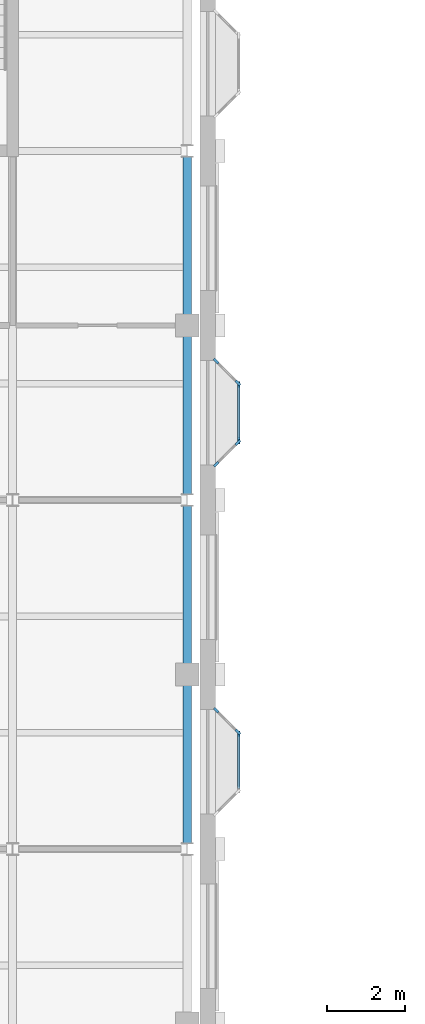
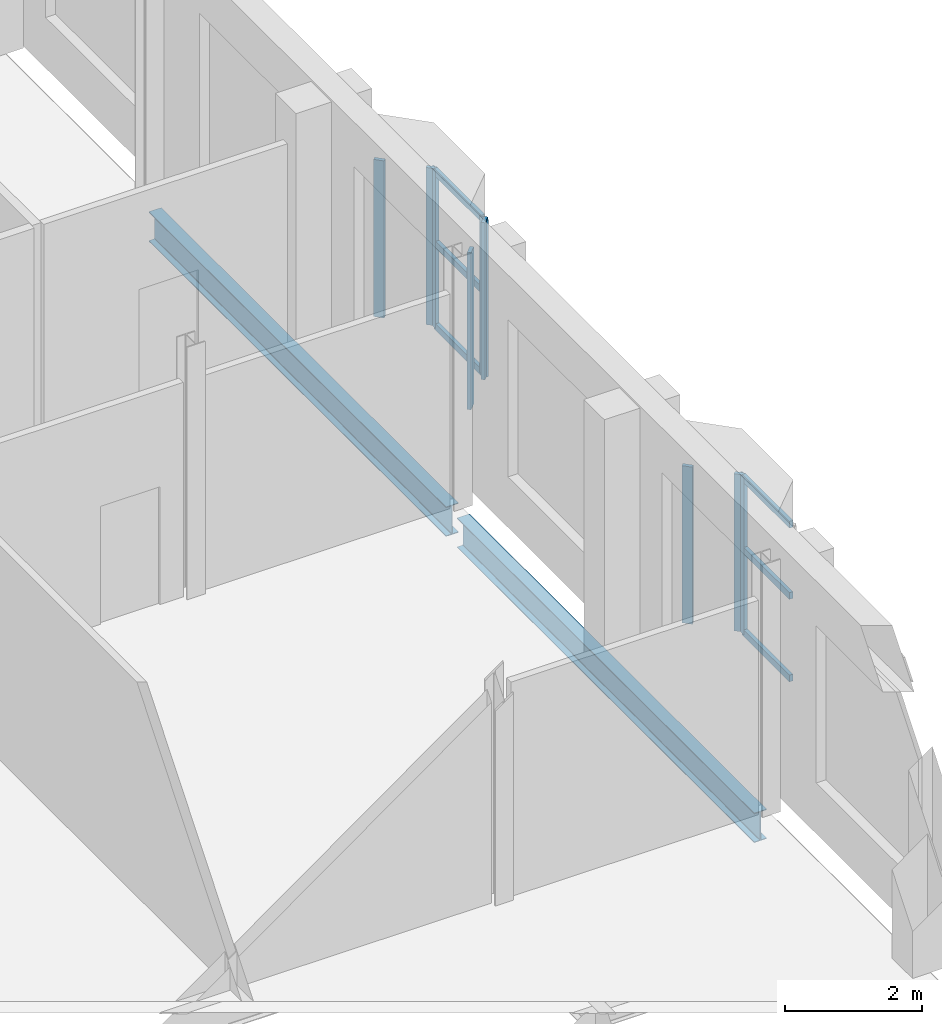
# One storey, part 12 of 59: 15 members, 2 beams, 5 elements without a shape of their own.
"""IFC4 building model written with IfcOpenShell, lengths in metres."""

from ifc_helpers import new_model, si_unit, direction, frame, origin, origin_2d, place, context, subcontext, project, spatial, rectangle, i_section, extrude, material, layer, layer_set, material_profile, profile_set, type_object, element, aggregate, save


model = new_model("IFC4")

# Units and contexts
model_context = context("Model", 3, precision=1e-05, world=origin(), true_north=direction((0.0, 1.0)))
body_context = subcontext(model_context, "Body", "Model", "MODEL_VIEW")
ifc_project = project(units=[si_unit("LENGTHUNIT", "METRE"), si_unit("AREAUNIT", "SQUARE_METRE"), si_unit("VOLUMEUNIT", "CUBIC_METRE"), si_unit("PLANEANGLEUNIT", "RADIAN"), si_unit("MASSUNIT", "GRAM", prefix="KILO")], contexts=[model_context])

# Site, building, storey
site_placement = place(None, origin())
site = spatial("IfcSite", under=ifc_project, at=site_placement, CompositionType="ELEMENT")
building_placement = place(site_placement, origin())
building = spatial("IfcBuilding", under=site, at=building_placement, Name="Hortulan Conservatory and Botanical Research Centre", CompositionType="ELEMENT")
storey_placement = place(building_placement, frame((0.0, 0.0, 10.5)))
storey = spatial("IfcBuildingStorey", under=building, at=storey_placement, Name="L02", CompositionType="ELEMENT", Elevation=10.5)

# Curtain wall, members
ifc_material_1 = material(Name="Bronze-finished aluminium", Category="aluminium")
ifc_layer = layer(ifc_material_1, 0.10009765625)
ifc_layer_set = layer_set([ifc_layer], Name="Oriel Curtain Wall 1350 module")
curtain_wall_type = type_object("IfcCurtainWallType", Name="Oriel Curtain Wall 1350 module", PredefinedType="NOTDEFINED", material=ifc_layer_set)
curtain_wall_1_placement = place(storey_placement, origin())
curtain_wall_1 = element("IfcCurtainWall", 1, at=curtain_wall_1_placement, inside=storey, type_object=curtain_wall_type, Name="Oriel glazing", PredefinedType="NOTDEFINED")
ifc_material_profile_1 = material_profile(ifc_material_1, rectangle(XDim=0.06005859375, YDim=0.159912109375, at=origin_2d()), Name="Bronze Mullion 60x160")
ifc_profile_set_1 = profile_set([ifc_material_profile_1], Name="Bronze-finished aluminium")
member_type_1 = type_object("IfcMemberType", Name="Bronze Mullion 60x160", PredefinedType="MULLION", material=ifc_profile_set_1)
member_1_placement = place(storey_placement, frame((32.24609375, 48.578857421875, 0.89990234375), z_axis=(0.0, 0.0, 1.0), x_axis=(0.707106781187, 0.707106781187, 0.0)))
member_1 = element("IfcMember", 2, at=member_1_placement, type_object=member_type_1, Name="CW2 mullion 1", PredefinedType="MULLION", context=body_context, shape_type="SweptSolid", body=[
    extrude(rectangle(XDim=0.06005859375, YDim=0.159912109375, at=origin_2d()), origin(), (0.0, 0.0, 1.0), 2.800048828125),
])
member_2_placement = place(storey_placement, frame((32.8037109375, 48.021240234375, 0.89990234375), z_axis=(0.0, 0.0, 1.0), x_axis=(0.707106781187, 0.707106781187, 0.0)))
member_2 = element("IfcMember", 3, at=member_2_placement, type_object=member_type_1, Name="CW2 mullion 2", PredefinedType="MULLION", context=body_context, shape_type="SweptSolid", body=[
    extrude(rectangle(XDim=0.06005859375, YDim=0.159912109375, at=origin_2d()), origin(), (0.0, 0.0, 1.0), 2.800048828125),
])
aggregate(curtain_wall_1, [member_1, member_2])

# Curtain wall, member
curtain_wall_2_placement = place(storey_placement, origin())
curtain_wall_2 = element("IfcCurtainWall", 4, at=curtain_wall_2_placement, inside=storey, type_object=curtain_wall_type, Name="Oriel glazing", PredefinedType="NOTDEFINED")
member_3_placement = place(storey_placement, frame((32.824951171875, 47.969970703125, 0.89990234375), z_axis=(0.0, 0.0, 1.0), x_axis=(1.0, 0.0, 0.0)))
member_3 = element("IfcMember", 5, at=member_3_placement, type_object=member_type_1, Name="CW2 mullion 1", PredefinedType="MULLION", context=body_context, shape_type="SweptSolid", body=[
    extrude(rectangle(XDim=0.06005859375, YDim=0.159912109375, at=origin_2d()), origin(), (0.0, 0.0, 1.0), 2.800048828125),
])

# Curtain wall, members
curtain_wall_3_placement = place(storey_placement, origin())
curtain_wall_3 = element("IfcCurtainWall", 6, at=curtain_wall_3_placement, inside=storey, type_object=curtain_wall_type, Name="Oriel glazing", PredefinedType="NOTDEFINED")
member_4_placement = place(storey_placement, frame((32.24609375, 57.578857421875, 0.89990234375), z_axis=(0.0, 0.0, 1.0), x_axis=(0.707106781187, 0.707106781187, 0.0)))
member_4 = element("IfcMember", 7, at=member_4_placement, type_object=member_type_1, Name="CW2 mullion 1", PredefinedType="MULLION", context=body_context, shape_type="SweptSolid", body=[
    extrude(rectangle(XDim=0.06005859375, YDim=0.159912109375, at=origin_2d()), origin(), (0.0, 0.0, 1.0), 2.800048828125),
])
member_5_placement = place(storey_placement, frame((32.8037109375, 57.021240234375, 0.89990234375), z_axis=(0.0, 0.0, 1.0), x_axis=(0.707106781187, 0.707106781187, 0.0)))
member_5 = element("IfcMember", 8, at=member_5_placement, type_object=member_type_1, Name="CW2 mullion 2", PredefinedType="MULLION", context=body_context, shape_type="SweptSolid", body=[
    extrude(rectangle(XDim=0.06005859375, YDim=0.159912109375, at=origin_2d()), origin(), (0.0, 0.0, 1.0), 2.800048828125),
])
aggregate(curtain_wall_3, [member_4, member_5])

curtain_wall_4_placement = place(storey_placement, origin())
curtain_wall_4 = element("IfcCurtainWall", 9, at=curtain_wall_4_placement, inside=storey, type_object=curtain_wall_type, Name="Oriel glazing", PredefinedType="NOTDEFINED")
member_6_placement = place(storey_placement, frame((32.824951171875, 56.969970703125, 0.89990234375), z_axis=(0.0, 0.0, 1.0), x_axis=(1.0, 0.0, 0.0)))
member_6 = element("IfcMember", 10, at=member_6_placement, type_object=member_type_1, Name="CW2 mullion 1", PredefinedType="MULLION", context=body_context, shape_type="SweptSolid", body=[
    extrude(rectangle(XDim=0.06005859375, YDim=0.159912109375, at=origin_2d()), origin(), (0.0, 0.0, 1.0), 2.800048828125),
])
member_7_placement = place(storey_placement, frame((32.824951171875, 55.530029296875, 0.89990234375), z_axis=(0.0, 0.0, 1.0), x_axis=(1.0, 0.0, 0.0)))
member_7 = element("IfcMember", 11, at=member_7_placement, type_object=member_type_1, Name="CW2 mullion 2", PredefinedType="MULLION", context=body_context, shape_type="SweptSolid", body=[
    extrude(rectangle(XDim=0.06005859375, YDim=0.159912109375, at=origin_2d()), origin(), (0.0, 0.0, 1.0), 2.800048828125),
])

curtain_wall_5_placement = place(storey_placement, origin())
curtain_wall_5 = element("IfcCurtainWall", 12, at=curtain_wall_5_placement, inside=storey, type_object=curtain_wall_type, Name="Oriel glazing", PredefinedType="NOTDEFINED")
member_8_placement = place(storey_placement, frame((32.8037109375, 55.478759765625, 0.89990234375), z_axis=(0.0, 0.0, 1.0), x_axis=(0.707106781187, -0.707106781187, 0.0)))
member_8 = element("IfcMember", 13, at=member_8_placement, type_object=member_type_1, Name="CW2 mullion 1", PredefinedType="MULLION", context=body_context, shape_type="SweptSolid", body=[
    extrude(rectangle(XDim=0.06005859375, YDim=0.159912109375, at=origin_2d()), origin(), (0.0, 0.0, 1.0), 2.800048828125),
])
member_9_placement = place(storey_placement, frame((32.24609375, 54.921142578125, 0.89990234375), z_axis=(0.0, 0.0, 1.0), x_axis=(0.707106781187, -0.707106781187, 0.0)))
member_9 = element("IfcMember", 14, at=member_9_placement, type_object=member_type_1, Name="CW2 mullion 2", PredefinedType="MULLION", context=body_context, shape_type="SweptSolid", body=[
    extrude(rectangle(XDim=0.06005859375, YDim=0.159912109375, at=origin_2d()), origin(), (0.0, 0.0, 1.0), 2.800048828125),
])
aggregate(curtain_wall_5, [member_8, member_9])

# Member
ifc_material_profile_2 = material_profile(ifc_material_1, rectangle(XDim=0.06005859375, YDim=0.1201171875, at=origin_2d()), Name="Bronze Transom 60x120")
ifc_profile_set_2 = profile_set([ifc_material_profile_2], Name="Bronze-finished aluminium")
member_type_2 = type_object("IfcMemberType", Name="Bronze Transom 60x120", PredefinedType="USERDEFINED", material=ifc_profile_set_2)
member_10_placement = place(storey_placement, frame((32.824951171875, 47.93994140625, 0.929931640625), z_axis=(0.0, -1.0, 0.0), x_axis=(1.0, 0.0, 0.0)))
member_10 = element("IfcMember", 15, at=member_10_placement, type_object=member_type_2, Name="CW2 transom 1.1", ObjectType="TRANSOM", PredefinedType="USERDEFINED", context=body_context, shape_type="SweptSolid", body=[
    extrude(rectangle(XDim=0.06005859375, YDim=0.1201171875, at=origin_2d()), origin(), (0.0, 0.0, 1.0), 1.3798828125),
])

member_11_placement = place(storey_placement, frame((32.824951171875, 47.93994140625, 2.39990234375), z_axis=(0.0, -1.0, 0.0), x_axis=(1.0, 0.0, 0.0)))
member_11 = element("IfcMember", 16, at=member_11_placement, type_object=member_type_2, Name="CW2 transom 1.2", ObjectType="TRANSOM", PredefinedType="USERDEFINED", context=body_context, shape_type="SweptSolid", body=[
    extrude(rectangle(XDim=0.06005859375, YDim=0.1201171875, at=origin_2d()), origin(), (0.0, 0.0, 1.0), 1.3798828125),
])

member_12_placement = place(storey_placement, frame((32.824951171875, 47.93994140625, 3.669921875), z_axis=(0.0, -1.0, 0.0), x_axis=(1.0, 0.0, 0.0)))
member_12 = element("IfcMember", 17, at=member_12_placement, type_object=member_type_2, Name="CW2 transom 1.3", ObjectType="TRANSOM", PredefinedType="USERDEFINED", context=body_context, shape_type="SweptSolid", body=[
    extrude(rectangle(XDim=0.06005859375, YDim=0.1201171875, at=origin_2d()), origin(), (0.0, 0.0, 1.0), 1.3798828125),
])

aggregate(curtain_wall_2, [member_3, member_10, member_11, member_12])

member_13_placement = place(storey_placement, frame((32.824951171875, 56.93994140625, 0.929931640625), z_axis=(0.0, -1.0, 0.0), x_axis=(1.0, 0.0, 0.0)))
member_13 = element("IfcMember", 18, at=member_13_placement, type_object=member_type_2, Name="CW2 transom 1.1", ObjectType="TRANSOM", PredefinedType="USERDEFINED", context=body_context, shape_type="SweptSolid", body=[
    extrude(rectangle(XDim=0.06005859375, YDim=0.1201171875, at=origin_2d()), origin(), (0.0, 0.0, 1.0), 1.3798828125),
])

member_14_placement = place(storey_placement, frame((32.824951171875, 56.93994140625, 2.39990234375), z_axis=(0.0, -1.0, 0.0), x_axis=(1.0, 0.0, 0.0)))
member_14 = element("IfcMember", 19, at=member_14_placement, type_object=member_type_2, Name="CW2 transom 1.2", ObjectType="TRANSOM", PredefinedType="USERDEFINED", context=body_context, shape_type="SweptSolid", body=[
    extrude(rectangle(XDim=0.06005859375, YDim=0.1201171875, at=origin_2d()), origin(), (0.0, 0.0, 1.0), 1.3798828125),
])

member_15_placement = place(storey_placement, frame((32.824951171875, 56.93994140625, 3.669921875), z_axis=(0.0, -1.0, 0.0), x_axis=(1.0, 0.0, 0.0)))
member_15 = element("IfcMember", 20, at=member_15_placement, type_object=member_type_2, Name="CW2 transom 1.3", ObjectType="TRANSOM", PredefinedType="USERDEFINED", context=body_context, shape_type="SweptSolid", body=[
    extrude(rectangle(XDim=0.06005859375, YDim=0.1201171875, at=origin_2d()), origin(), (0.0, 0.0, 1.0), 1.3798828125),
])

aggregate(curtain_wall_4, [member_6, member_7, member_13, member_14, member_15])

# Beams
ifc_material_2 = material(Name="Steel Grade 300PLUS (AS/NZS 3679.1, 280 MPa minimum yield)", Category="steel")
ifc_material_profile_3 = material_profile(ifc_material_2, i_section(OverallWidth=0.208984375, OverallDepth=0.528076171875, WebThickness=0.009521484375, FlangeThickness=0.01318359375, FilletRadius=0.013916015625, at=origin_2d()), Name="530UB82.0")
ifc_profile_set_3 = profile_set([ifc_material_profile_3], Name="Steel Grade 300PLUS (AS/NZS 3679.1, 280 MPa minimum yield)")
beam_type = type_object("IfcBeamType", Name="Primary Beam 530UB82.0", PredefinedType="BEAM", material=ifc_profile_set_3)
for number, where, z_axis, x_axis, name in (
    (21, (31.5, 45.160400390625, -0.39404296875), (0.0, 1.0, 0.0), (-1.0, 0.0, 0.0), "530UB82.0 girder"),
    (22, (31.5, 54.160400390625, -0.39404296875), (0.0, 1.0, 0.0), (-1.0, 0.0, 0.0), "530UB82.0 girder"),
):
    element("IfcBeam", number, at=place(storey_placement, frame(where, z_axis=z_axis, x_axis=x_axis)), inside=storey, type_object=beam_type, Name=name, PredefinedType="BEAM", context=body_context, shape_type="SweptSolid", body=[
        extrude(i_section(OverallWidth=0.208984375, OverallDepth=0.528076171875, WebThickness=0.009521484375, FlangeThickness=0.01318359375, FilletRadius=0.013916015625, at=origin_2d()), origin(), (0.0, 0.0, 1.0), 8.67919921875),
    ])

save(model, "model.ifc")
